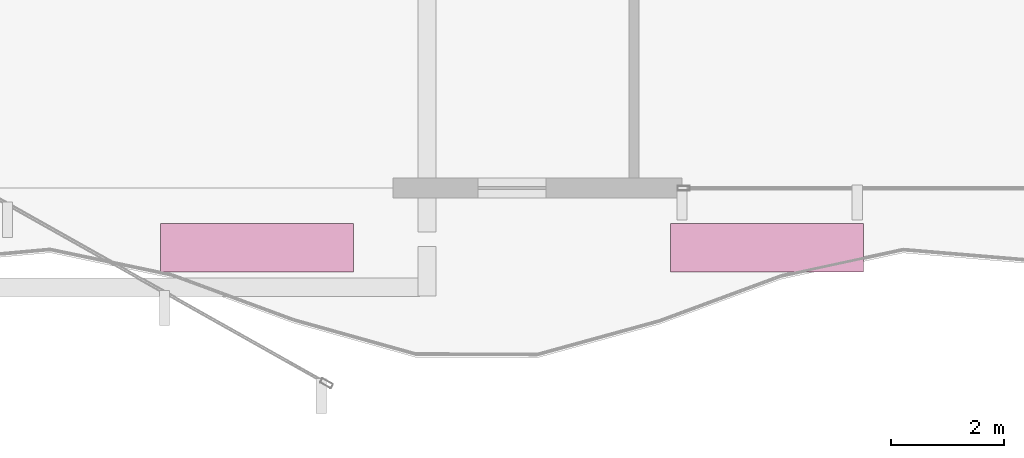
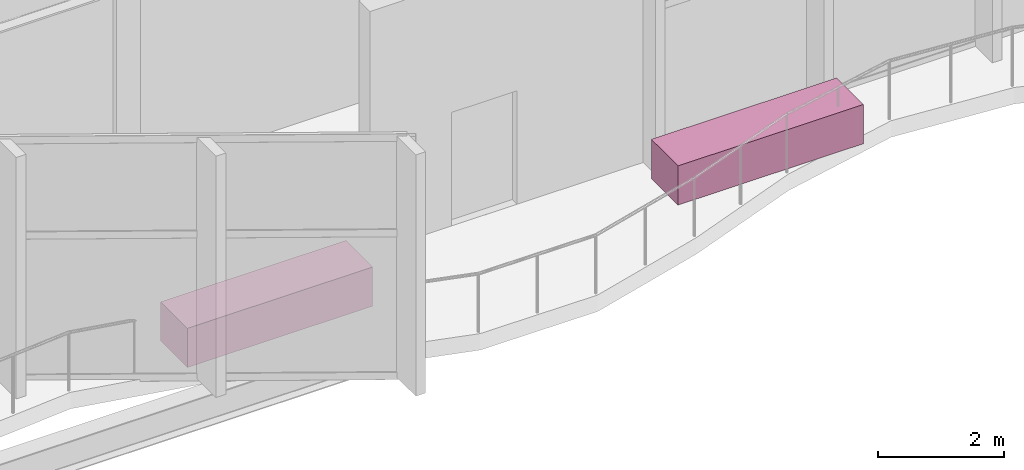
# One storey, part 28 of 28: 2 furnishings.
"""IFC4 building model written with IfcOpenShell, lengths in metres."""

from ifc_helpers import new_model, si_unit, direction, frame, origin, origin_2d, place, context, subcontext, project, spatial, rectangle, extrude, material, type_object, element, save


model = new_model("IFC4")

# Units and contexts
model_context = context("Model", 3, precision=1e-05, world=origin(), true_north=direction((0.0, 1.0)))
body_context = subcontext(model_context, "Body", "Model", "MODEL_VIEW")
ifc_project = project(units=[si_unit("LENGTHUNIT", "METRE"), si_unit("AREAUNIT", "SQUARE_METRE"), si_unit("VOLUMEUNIT", "CUBIC_METRE"), si_unit("PLANEANGLEUNIT", "RADIAN"), si_unit("MASSUNIT", "GRAM", prefix="KILO")], contexts=[model_context])

# Site, building, storey
site_placement = place(None, origin())
site = spatial("IfcSite", under=ifc_project, at=site_placement, CompositionType="ELEMENT")
building_placement = place(site_placement, origin())
building = spatial("IfcBuilding", under=site, at=building_placement, Name="Solvaryn Broadcast Tower", CompositionType="ELEMENT")
storey_placement = place(building_placement, frame((0.0, 0.0, 16.199951171875)))
storey = spatial("IfcBuildingStorey", under=building, at=storey_placement, Name="L03", CompositionType="ELEMENT", Elevation=16.199951171875)

# Furnishings
ifc_material = material(Name="Architectural Terracotta Planter Bed", Category="masonry")
furnishing_element_type = type_object("IfcFurnishingElementType", Name="PLB-01 Garden Planter Bed", material=ifc_material)
for number, where, z_axis, x_axis, name in (
    (1, (18.0, 4.35009765625, 0.0), (0.0, 0.0, 1.0), (1.0, 0.0, 0.0), "L03 Planted Terrace Planter PLANTER-TS-POD-L03-S-1"),
    (2, (27.0, 4.35009765625, 0.0), (0.0, 0.0, 1.0), (1.0, 0.0, 0.0), "L03 Planted Terrace Planter PLANTER-TS-POD-L03-S-2"),
):
    element("IfcFurnishingElement", number, at=place(storey_placement, frame(where, z_axis=z_axis, x_axis=x_axis)), inside=storey, type_object=furnishing_element_type, Name=name, ObjectType="PLANTER", context=body_context, shape_type="SweptSolid", body=[
        extrude(rectangle(XDim=3.39990234375, YDim=0.85009765625, at=origin_2d()), origin(), (0.0, 0.0, 1.0), 0.760009765625),
    ])

save(model, "model.ifc")
